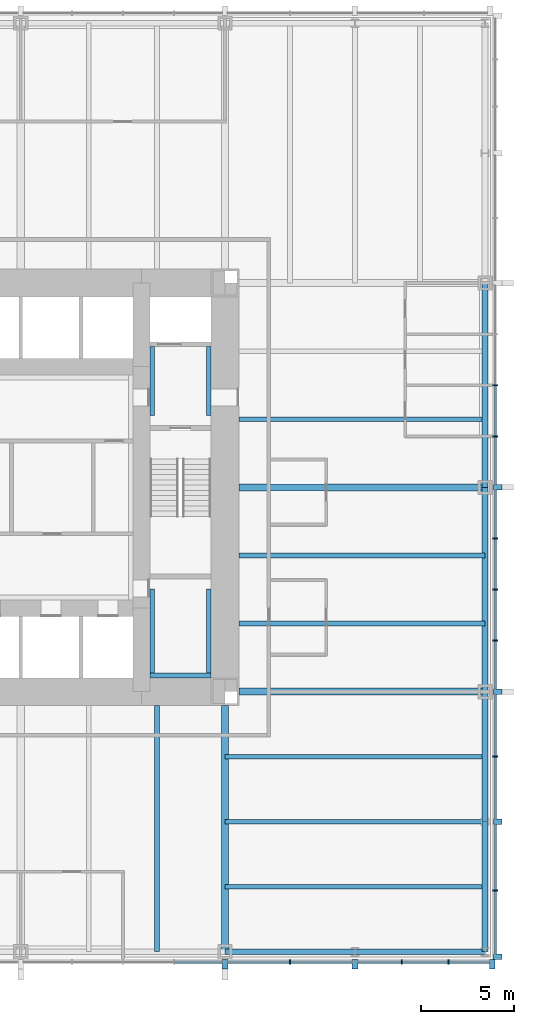
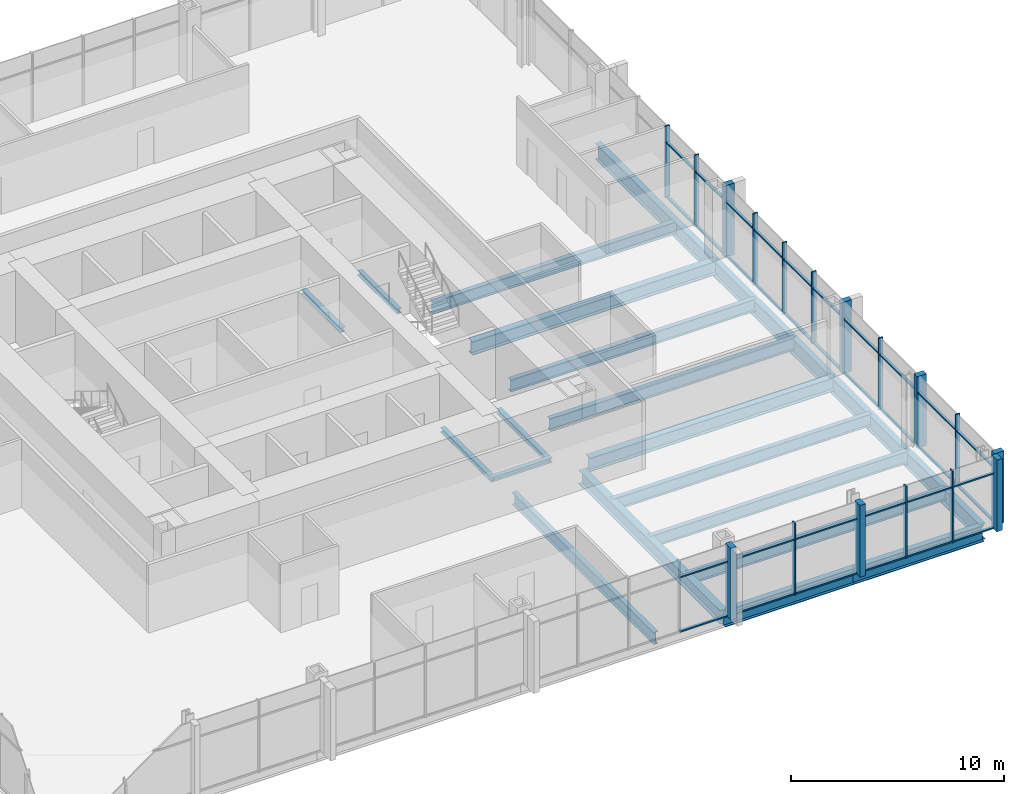
# One storey, part 4 of 12: 49 members, 21 beams, 2 elements without a shape of their own.
"""IFC4 building model written with IfcOpenShell, lengths in metres."""

from ifc_helpers import new_model, si_unit, direction, frame, origin, origin_2d, place, context, subcontext, project, spatial, rectangle, i_section, extrude, material, material_profile, profile_set, type_object, element, aggregate, save


model = new_model("IFC4")

# Units and contexts
model_context = context("Model", 3, precision=1e-05, world=origin(), true_north=direction((0.0, 1.0)))
body_context = subcontext(model_context, "Body", "Model", "MODEL_VIEW")
ifc_project = project(units=[si_unit("LENGTHUNIT", "METRE"), si_unit("AREAUNIT", "SQUARE_METRE"), si_unit("VOLUMEUNIT", "CUBIC_METRE"), si_unit("PLANEANGLEUNIT", "RADIAN"), si_unit("MASSUNIT", "GRAM", prefix="KILO")], contexts=[model_context])

# Site, building, storey
site_placement = place(None, origin())
site = spatial("IfcSite", under=ifc_project, at=site_placement, CompositionType="ELEMENT")
building_placement = place(site_placement, origin())
building = spatial("IfcBuilding", under=site, at=building_placement, Name="Trevanion Tower", CompositionType="ELEMENT")
storey_placement = place(building_placement, frame((0.0, 0.0, 65.199951171875)))
storey = spatial("IfcBuildingStorey", under=building, at=storey_placement, Name="L15", CompositionType="ELEMENT", Elevation=65.199951171875)

# Beams
ifc_material_1 = material(Name="Steel ASTM A992 Grade 50", Category="steel")
ifc_material_profile_1 = material_profile(ifc_material_1, i_section(OverallWidth=0.25390625, OverallDepth=0.700927734375, WebThickness=0.015380859375, FlangeThickness=0.02783203125, at=origin_2d()), Name="W27X129")
ifc_profile_set_1 = profile_set([ifc_material_profile_1], Name="Steel ASTM A992 Grade 50")
beam_type_1 = type_object("IfcBeamType", Name="B3 W27X129", PredefinedType="BEAM", material=ifc_profile_set_1)
for number, where, z_axis, x_axis, name in (
    (1, (11.75, -7.333251953125, -0.54052734375), (1.0, 0.0, 0.0), (0.0, 1.0, 0.0), "B3 L15"),
    (2, (11.75, -3.666748046875, -0.54052734375), (1.0, 0.0, 0.0), (0.0, 1.0, 0.0), "B3 L15"),
    (3, (11.75, 3.666748046875, -0.54052734375), (1.0, 0.0, 0.0), (0.0, 1.0, 0.0), "B3 L15"),
    (4, (7.333251953125, -11.75, -0.54052734375), (0.0, -1.0, 0.0), (1.0, 0.0, 0.0), "B3 L15"),
):
    element("IfcBeam", number, at=place(storey_placement, frame(where, z_axis=z_axis, x_axis=x_axis)), inside=storey, type_object=beam_type_1, Name=name, PredefinedType="BEAM", context=body_context, shape_type="SweptSolid", body=[
        extrude(i_section(OverallWidth=0.25390625, OverallDepth=0.700927734375, WebThickness=0.015380859375, FlangeThickness=0.02783203125, at=origin_2d()), origin(), (0.0, 0.0, 1.0), 13.25),
    ])
ifc_material_2 = material(Name="Steel ASTM A992 Grade 50", Category="steel")
ifc_material_profile_2 = material_profile(ifc_material_2, i_section(OverallWidth=0.256591796875, OverallDepth=0.693359375, WebThickness=0.014404296875, FlangeThickness=0.023681640625, at=origin_2d()), Name="W27X114")
ifc_profile_set_2 = profile_set([ifc_material_profile_2], Name="Steel ASTM A992 Grade 50")
beam_type_2 = type_object("IfcBeamType", Name="B4 W27X114", PredefinedType="BEAM", material=ifc_profile_set_2)
for number, where, z_axis, x_axis, name in (
    (5, (11.0, -14.5, -0.53662109375), (1.0, 0.0, 0.0), (0.0, 1.0, 0.0), "B4 L15"),
    (6, (11.0, -18.0, -0.53662109375), (1.0, 0.0, 0.0), (0.0, 1.0, 0.0), "B4 L15"),
    (7, (11.0, -21.5, -0.53662109375), (1.0, 0.0, 0.0), (0.0, 1.0, 0.0), "B4 L15"),
):
    element("IfcBeam", number, at=place(storey_placement, frame(where, z_axis=z_axis, x_axis=x_axis)), inside=storey, type_object=beam_type_2, Name=name, PredefinedType="BEAM", context=body_context, shape_type="SweptSolid", body=[
        extrude(i_section(OverallWidth=0.256591796875, OverallDepth=0.693359375, WebThickness=0.014404296875, FlangeThickness=0.023681640625, at=origin_2d()), origin(), (0.0, 0.0, 1.0), 14.0),
    ])

# Curtain wall, members
ifc_material_3 = material(Name="Aluminium and glass", Category="aluminium")
curtain_wall_type = type_object("IfcCurtainWallType", Name="CW1 curtain wall", PredefinedType="USERDEFINED", material=ifc_material_3)
curtain_wall_1_placement = place(storey_placement, origin())
curtain_wall_1 = element("IfcCurtainWall", 8, at=curtain_wall_1_placement, inside=storey, type_object=curtain_wall_type, Name="CW1 L15 0", ObjectType="UNITISED CURTAIN WALL", PredefinedType="USERDEFINED")
ifc_material_4 = material(Name="Aluminium extrusion, anodised bronze", Category="aluminium")
ifc_material_profile_3 = material_profile(ifc_material_4, rectangle(XDim=0.074951171875, YDim=0.25, at=origin_2d()), Name="CW1 mullion")
ifc_profile_set_3 = profile_set([ifc_material_profile_3], Name="Aluminium extrusion, anodised bronze")
member_type_1 = type_object("IfcMemberType", Name="CW1 mullion", PredefinedType="MULLION", material=ifc_profile_set_3)
member_1_placement = place(storey_placement, frame((25.550048828125, -21.7099609375, -0.18994140625), z_axis=(0.0, 0.0, 1.0), x_axis=(0.0, 1.0, 0.0)))
member_1 = element("IfcMember", 9, at=member_1_placement, type_object=member_type_1, Name="CW1 mullion 2", PredefinedType="MULLION", context=body_context, shape_type="SweptSolid", body=[
    extrude(rectangle(XDim=0.074951171875, YDim=0.25, at=origin_2d()), origin(), (0.0, 0.0, 1.0), 4.10009765625),
])
member_2_placement = place(storey_placement, frame((25.550048828125, -14.5, -0.18994140625), z_axis=(0.0, 0.0, 1.0), x_axis=(0.0, 1.0, 0.0)))
member_2 = element("IfcMember", 10, at=member_2_placement, type_object=member_type_1, Name="CW1 mullion 4", PredefinedType="MULLION", context=body_context, shape_type="SweptSolid", body=[
    extrude(rectangle(XDim=0.074951171875, YDim=0.25, at=origin_2d()), origin(), (0.0, 0.0, 1.0), 4.10009765625),
])
member_3_placement = place(storey_placement, frame((25.550048828125, -8.25, -0.18994140625), z_axis=(0.0, 0.0, 1.0), x_axis=(0.0, 1.0, 0.0)))
member_3 = element("IfcMember", 11, at=member_3_placement, type_object=member_type_1, Name="CW1 mullion 6", PredefinedType="MULLION", context=body_context, shape_type="SweptSolid", body=[
    extrude(rectangle(XDim=0.074951171875, YDim=0.25, at=origin_2d()), origin(), (0.0, 0.0, 1.0), 4.10009765625),
])
member_4_placement = place(storey_placement, frame((25.550048828125, -5.5, -0.18994140625), z_axis=(0.0, 0.0, 1.0), x_axis=(0.0, 1.0, 0.0)))
member_4 = element("IfcMember", 12, at=member_4_placement, type_object=member_type_1, Name="CW1 mullion 7", PredefinedType="MULLION", context=body_context, shape_type="SweptSolid", body=[
    extrude(rectangle(XDim=0.074951171875, YDim=0.25, at=origin_2d()), origin(), (0.0, 0.0, 1.0), 4.10009765625),
])
member_5_placement = place(storey_placement, frame((25.550048828125, -2.75, -0.18994140625), z_axis=(0.0, 0.0, 1.0), x_axis=(0.0, 1.0, 0.0)))
member_5 = element("IfcMember", 13, at=member_5_placement, type_object=member_type_1, Name="CW1 mullion 8", PredefinedType="MULLION", context=body_context, shape_type="SweptSolid", body=[
    extrude(rectangle(XDim=0.074951171875, YDim=0.25, at=origin_2d()), origin(), (0.0, 0.0, 1.0), 4.10009765625),
])
member_6_placement = place(storey_placement, frame((25.550048828125, 2.75, -0.18994140625), z_axis=(0.0, 0.0, 1.0), x_axis=(0.0, 1.0, 0.0)))
member_6 = element("IfcMember", 14, at=member_6_placement, type_object=member_type_1, Name="CW1 mullion 10", PredefinedType="MULLION", context=body_context, shape_type="SweptSolid", body=[
    extrude(rectangle(XDim=0.074951171875, YDim=0.25, at=origin_2d()), origin(), (0.0, 0.0, 1.0), 4.10009765625),
])
member_7_placement = place(storey_placement, frame((25.550048828125, 5.5, -0.18994140625), z_axis=(0.0, 0.0, 1.0), x_axis=(0.0, 1.0, 0.0)))
member_7 = element("IfcMember", 15, at=member_7_placement, type_object=member_type_1, Name="CW1 mullion 11", PredefinedType="MULLION", context=body_context, shape_type="SweptSolid", body=[
    extrude(rectangle(XDim=0.074951171875, YDim=0.25, at=origin_2d()), origin(), (0.0, 0.0, 1.0), 4.10009765625),
])

curtain_wall_2_placement = place(storey_placement, origin())
curtain_wall_2 = element("IfcCurtainWall", 16, at=curtain_wall_2_placement, inside=storey, type_object=curtain_wall_type, Name="CW1 L15 3", ObjectType="UNITISED CURTAIN WALL", PredefinedType="USERDEFINED")
member_8_placement = place(storey_placement, frame((14.5, -25.550048828125, -0.18994140625), z_axis=(0.0, 0.0, 1.0), x_axis=(1.0, 0.0, 0.0)))
member_8 = element("IfcMember", 17, at=member_8_placement, type_object=member_type_1, Name="CW1 mullion 14", PredefinedType="MULLION", context=body_context, shape_type="SweptSolid", body=[
    extrude(rectangle(XDim=0.074951171875, YDim=0.25, at=origin_2d()), origin(), (0.0, 0.0, 1.0), 4.10009765625),
])
member_9_placement = place(storey_placement, frame((20.5166015625, -25.550048828125, -0.18994140625), z_axis=(0.0, 0.0, 1.0), x_axis=(1.0, 0.0, 0.0)))
member_9 = element("IfcMember", 18, at=member_9_placement, type_object=member_type_1, Name="CW1 mullion 16", PredefinedType="MULLION", context=body_context, shape_type="SweptSolid", body=[
    extrude(rectangle(XDim=0.074951171875, YDim=0.25, at=origin_2d()), origin(), (0.0, 0.0, 1.0), 4.10009765625),
])
member_10_placement = place(storey_placement, frame((23.033203125, -25.550048828125, -0.18994140625), z_axis=(0.0, 0.0, 1.0), x_axis=(1.0, 0.0, 0.0)))
member_10 = element("IfcMember", 19, at=member_10_placement, type_object=member_type_1, Name="CW1 mullion 17", PredefinedType="MULLION", context=body_context, shape_type="SweptSolid", body=[
    extrude(rectangle(XDim=0.074951171875, YDim=0.25, at=origin_2d()), origin(), (0.0, 0.0, 1.0), 4.10009765625),
])

# Member
ifc_material_5 = material(Name="Aluminium extrusion, anodised bronze", Category="aluminium")
ifc_material_profile_4 = material_profile(ifc_material_5, rectangle(XDim=0.300048828125, YDim=0.5, at=origin_2d()), Name="CW1 pier mullion")
ifc_profile_set_4 = profile_set([ifc_material_profile_4], Name="Aluminium extrusion, anodised bronze")
member_type_2 = type_object("IfcMemberType", Name="CW1 pier mullion", PredefinedType="MULLION", material=ifc_profile_set_4)
member_11_placement = place(storey_placement, frame((25.675048828125, -25.27001953125, -0.18994140625), z_axis=(0.0, 0.0, 1.0), x_axis=(0.0, 1.0, 0.0)))
member_11 = element("IfcMember", 20, at=member_11_placement, type_object=member_type_2, Name="CW1 pier mullion 1", PredefinedType="MULLION", context=body_context, shape_type="SweptSolid", body=[
    extrude(rectangle(XDim=0.300048828125, YDim=0.5, at=origin_2d()), origin(), (0.0, 0.0, 1.0), 4.10009765625),
])

member_12_placement = place(storey_placement, frame((25.675048828125, -18.0, -0.18994140625), z_axis=(0.0, 0.0, 1.0), x_axis=(0.0, 1.0, 0.0)))
member_12 = element("IfcMember", 21, at=member_12_placement, type_object=member_type_2, Name="CW1 pier mullion 3", PredefinedType="MULLION", context=body_context, shape_type="SweptSolid", body=[
    extrude(rectangle(XDim=0.300048828125, YDim=0.5, at=origin_2d()), origin(), (0.0, 0.0, 1.0), 4.10009765625),
])

member_13_placement = place(storey_placement, frame((25.675048828125, -11.0, -0.18994140625), z_axis=(0.0, 0.0, 1.0), x_axis=(0.0, 1.0, 0.0)))
member_13 = element("IfcMember", 22, at=member_13_placement, type_object=member_type_2, Name="CW1 pier mullion 5", PredefinedType="MULLION", context=body_context, shape_type="SweptSolid", body=[
    extrude(rectangle(XDim=0.300048828125, YDim=0.5, at=origin_2d()), origin(), (0.0, 0.0, 1.0), 4.10009765625),
])

member_14_placement = place(storey_placement, frame((25.675048828125, 0.0, -0.18994140625), z_axis=(0.0, 0.0, 1.0), x_axis=(0.0, 1.0, 0.0)))
member_14 = element("IfcMember", 23, at=member_14_placement, type_object=member_type_2, Name="CW1 pier mullion 9", PredefinedType="MULLION", context=body_context, shape_type="SweptSolid", body=[
    extrude(rectangle(XDim=0.300048828125, YDim=0.5, at=origin_2d()), origin(), (0.0, 0.0, 1.0), 4.10009765625),
])

member_15_placement = place(storey_placement, frame((11.0, -25.675048828125, -0.18994140625), z_axis=(0.0, 0.0, 1.0), x_axis=(1.0, 0.0, 0.0)))
member_15 = element("IfcMember", 24, at=member_15_placement, type_object=member_type_2, Name="CW1 pier mullion 13", PredefinedType="MULLION", context=body_context, shape_type="SweptSolid", body=[
    extrude(rectangle(XDim=0.300048828125, YDim=0.5, at=origin_2d()), origin(), (0.0, 0.0, 1.0), 4.10009765625),
])

member_16_placement = place(storey_placement, frame((18.0, -25.675048828125, -0.18994140625), z_axis=(0.0, 0.0, 1.0), x_axis=(1.0, 0.0, 0.0)))
member_16 = element("IfcMember", 25, at=member_16_placement, type_object=member_type_2, Name="CW1 pier mullion 15", PredefinedType="MULLION", context=body_context, shape_type="SweptSolid", body=[
    extrude(rectangle(XDim=0.300048828125, YDim=0.5, at=origin_2d()), origin(), (0.0, 0.0, 1.0), 4.10009765625),
])

member_17_placement = place(storey_placement, frame((25.39990234375, -25.675048828125, -0.18994140625), z_axis=(0.0, 0.0, 1.0), x_axis=(1.0, 0.0, 0.0)))
member_17 = element("IfcMember", 26, at=member_17_placement, type_object=member_type_2, Name="CW1 pier mullion 18", PredefinedType="MULLION", context=body_context, shape_type="SweptSolid", body=[
    extrude(rectangle(XDim=0.300048828125, YDim=0.5, at=origin_2d()), origin(), (0.0, 0.0, 1.0), 4.10009765625),
])

ifc_material_6 = material(Name="Aluminium extrusion, anodised bronze", Category="aluminium")
ifc_material_profile_5 = material_profile(ifc_material_6, rectangle(XDim=0.14990234375, YDim=0.074951171875, at=origin_2d()), Name="CW1 transom")
ifc_profile_set_5 = profile_set([ifc_material_profile_5], Name="Aluminium extrusion, anodised bronze")
member_type_3 = type_object("IfcMemberType", Name="CW1 transom", PredefinedType="USERDEFINED", material=ifc_profile_set_5)
member_18_placement = place(storey_placement, frame((25.550048828125, -25.1201171875, -0.15234375), z_axis=(0.0, 1.0, 0.0), x_axis=(-1.0, 0.0, 0.0)))
member_18 = element("IfcMember", 27, at=member_18_placement, type_object=member_type_3, Name="CW1 transom 1.1", ObjectType="TRANSOM", PredefinedType="USERDEFINED", context=body_context, shape_type="SweptSolid", body=[
    extrude(rectangle(XDim=0.14990234375, YDim=0.074951171875, at=origin_2d()), origin(), (0.0, 0.0, 1.0), 3.37255859375),
])

member_19_placement = place(storey_placement, frame((25.550048828125, -25.1201171875, 2.9599609375), z_axis=(0.0, 1.0, 0.0), x_axis=(-1.0, 0.0, 0.0)))
member_19 = element("IfcMember", 28, at=member_19_placement, type_object=member_type_3, Name="CW1 transom 1.2", ObjectType="TRANSOM", PredefinedType="USERDEFINED", context=body_context, shape_type="SweptSolid", body=[
    extrude(rectangle(XDim=0.14990234375, YDim=0.074951171875, at=origin_2d()), origin(), (0.0, 0.0, 1.0), 3.37255859375),
])

member_20_placement = place(storey_placement, frame((25.550048828125, -21.672607421875, -0.15234375), z_axis=(0.0, 1.0, 0.0), x_axis=(-1.0, 0.0, 0.0)))
member_20 = element("IfcMember", 29, at=member_20_placement, type_object=member_type_3, Name="CW1 transom 2.1", ObjectType="TRANSOM", PredefinedType="USERDEFINED", context=body_context, shape_type="SweptSolid", body=[
    extrude(rectangle(XDim=0.14990234375, YDim=0.074951171875, at=origin_2d()), origin(), (0.0, 0.0, 1.0), 3.522705078125),
])

member_21_placement = place(storey_placement, frame((25.550048828125, -21.672607421875, 2.9599609375), z_axis=(0.0, 1.0, 0.0), x_axis=(-1.0, 0.0, 0.0)))
member_21 = element("IfcMember", 30, at=member_21_placement, type_object=member_type_3, Name="CW1 transom 2.2", ObjectType="TRANSOM", PredefinedType="USERDEFINED", context=body_context, shape_type="SweptSolid", body=[
    extrude(rectangle(XDim=0.14990234375, YDim=0.074951171875, at=origin_2d()), origin(), (0.0, 0.0, 1.0), 3.522705078125),
])

member_22_placement = place(storey_placement, frame((25.550048828125, -17.85009765625, -0.15234375), z_axis=(0.0, 1.0, 0.0), x_axis=(-1.0, 0.0, 0.0)))
member_22 = element("IfcMember", 31, at=member_22_placement, type_object=member_type_3, Name="CW1 transom 3.1", ObjectType="TRANSOM", PredefinedType="USERDEFINED", context=body_context, shape_type="SweptSolid", body=[
    extrude(rectangle(XDim=0.14990234375, YDim=0.074951171875, at=origin_2d()), origin(), (0.0, 0.0, 1.0), 3.3125),
])

member_23_placement = place(storey_placement, frame((25.550048828125, -17.85009765625, 2.9599609375), z_axis=(0.0, 1.0, 0.0), x_axis=(-1.0, 0.0, 0.0)))
member_23 = element("IfcMember", 32, at=member_23_placement, type_object=member_type_3, Name="CW1 transom 3.2", ObjectType="TRANSOM", PredefinedType="USERDEFINED", context=body_context, shape_type="SweptSolid", body=[
    extrude(rectangle(XDim=0.14990234375, YDim=0.074951171875, at=origin_2d()), origin(), (0.0, 0.0, 1.0), 3.3125),
])

member_24_placement = place(storey_placement, frame((25.550048828125, -14.46240234375, -0.15234375), z_axis=(0.0, 1.0, 0.0), x_axis=(-1.0, 0.0, 0.0)))
member_24 = element("IfcMember", 33, at=member_24_placement, type_object=member_type_3, Name="CW1 transom 4.1", ObjectType="TRANSOM", PredefinedType="USERDEFINED", context=body_context, shape_type="SweptSolid", body=[
    extrude(rectangle(XDim=0.14990234375, YDim=0.074951171875, at=origin_2d()), origin(), (0.0, 0.0, 1.0), 3.3125),
])

member_25_placement = place(storey_placement, frame((25.550048828125, -14.46240234375, 2.9599609375), z_axis=(0.0, 1.0, 0.0), x_axis=(-1.0, 0.0, 0.0)))
member_25 = element("IfcMember", 34, at=member_25_placement, type_object=member_type_3, Name="CW1 transom 4.2", ObjectType="TRANSOM", PredefinedType="USERDEFINED", context=body_context, shape_type="SweptSolid", body=[
    extrude(rectangle(XDim=0.14990234375, YDim=0.074951171875, at=origin_2d()), origin(), (0.0, 0.0, 1.0), 3.3125),
])

member_26_placement = place(storey_placement, frame((25.550048828125, -10.85009765625, -0.15234375), z_axis=(0.0, 1.0, 0.0), x_axis=(-1.0, 0.0, 0.0)))
member_26 = element("IfcMember", 35, at=member_26_placement, type_object=member_type_3, Name="CW1 transom 5.1", ObjectType="TRANSOM", PredefinedType="USERDEFINED", context=body_context, shape_type="SweptSolid", body=[
    extrude(rectangle(XDim=0.14990234375, YDim=0.074951171875, at=origin_2d()), origin(), (0.0, 0.0, 1.0), 2.5625),
])

member_27_placement = place(storey_placement, frame((25.550048828125, -10.85009765625, 2.9599609375), z_axis=(0.0, 1.0, 0.0), x_axis=(-1.0, 0.0, 0.0)))
member_27 = element("IfcMember", 36, at=member_27_placement, type_object=member_type_3, Name="CW1 transom 5.2", ObjectType="TRANSOM", PredefinedType="USERDEFINED", context=body_context, shape_type="SweptSolid", body=[
    extrude(rectangle(XDim=0.14990234375, YDim=0.074951171875, at=origin_2d()), origin(), (0.0, 0.0, 1.0), 2.5625),
])

member_28_placement = place(storey_placement, frame((25.550048828125, -8.21240234375, -0.15234375), z_axis=(0.0, 1.0, 0.0), x_axis=(-1.0, 0.0, 0.0)))
member_28 = element("IfcMember", 37, at=member_28_placement, type_object=member_type_3, Name="CW1 transom 6.1", ObjectType="TRANSOM", PredefinedType="USERDEFINED", context=body_context, shape_type="SweptSolid", body=[
    extrude(rectangle(XDim=0.14990234375, YDim=0.074951171875, at=origin_2d()), origin(), (0.0, 0.0, 1.0), 2.6748046875),
])

member_29_placement = place(storey_placement, frame((25.550048828125, -8.21240234375, 2.9599609375), z_axis=(0.0, 1.0, 0.0), x_axis=(-1.0, 0.0, 0.0)))
member_29 = element("IfcMember", 38, at=member_29_placement, type_object=member_type_3, Name="CW1 transom 6.2", ObjectType="TRANSOM", PredefinedType="USERDEFINED", context=body_context, shape_type="SweptSolid", body=[
    extrude(rectangle(XDim=0.14990234375, YDim=0.074951171875, at=origin_2d()), origin(), (0.0, 0.0, 1.0), 2.6748046875),
])

member_30_placement = place(storey_placement, frame((25.550048828125, -5.46240234375, -0.15234375), z_axis=(0.0, 1.0, 0.0), x_axis=(-1.0, 0.0, 0.0)))
member_30 = element("IfcMember", 39, at=member_30_placement, type_object=member_type_3, Name="CW1 transom 7.1", ObjectType="TRANSOM", PredefinedType="USERDEFINED", context=body_context, shape_type="SweptSolid", body=[
    extrude(rectangle(XDim=0.14990234375, YDim=0.074951171875, at=origin_2d()), origin(), (0.0, 0.0, 1.0), 2.6748046875),
])

member_31_placement = place(storey_placement, frame((25.550048828125, -5.46240234375, 2.9599609375), z_axis=(0.0, 1.0, 0.0), x_axis=(-1.0, 0.0, 0.0)))
member_31 = element("IfcMember", 40, at=member_31_placement, type_object=member_type_3, Name="CW1 transom 7.2", ObjectType="TRANSOM", PredefinedType="USERDEFINED", context=body_context, shape_type="SweptSolid", body=[
    extrude(rectangle(XDim=0.14990234375, YDim=0.074951171875, at=origin_2d()), origin(), (0.0, 0.0, 1.0), 2.6748046875),
])

member_32_placement = place(storey_placement, frame((25.550048828125, -2.71240234375, -0.15234375), z_axis=(0.0, 1.0, 0.0), x_axis=(-1.0, 0.0, 0.0)))
member_32 = element("IfcMember", 41, at=member_32_placement, type_object=member_type_3, Name="CW1 transom 8.1", ObjectType="TRANSOM", PredefinedType="USERDEFINED", context=body_context, shape_type="SweptSolid", body=[
    extrude(rectangle(XDim=0.14990234375, YDim=0.074951171875, at=origin_2d()), origin(), (0.0, 0.0, 1.0), 2.5625),
])

member_33_placement = place(storey_placement, frame((25.550048828125, -2.71240234375, 2.9599609375), z_axis=(0.0, 1.0, 0.0), x_axis=(-1.0, 0.0, 0.0)))
member_33 = element("IfcMember", 42, at=member_33_placement, type_object=member_type_3, Name="CW1 transom 8.2", ObjectType="TRANSOM", PredefinedType="USERDEFINED", context=body_context, shape_type="SweptSolid", body=[
    extrude(rectangle(XDim=0.14990234375, YDim=0.074951171875, at=origin_2d()), origin(), (0.0, 0.0, 1.0), 2.5625),
])

member_34_placement = place(storey_placement, frame((25.550048828125, 0.14990234375, -0.15234375), z_axis=(0.0, 1.0, 0.0), x_axis=(-1.0, 0.0, 0.0)))
member_34 = element("IfcMember", 43, at=member_34_placement, type_object=member_type_3, Name="CW1 transom 9.1", ObjectType="TRANSOM", PredefinedType="USERDEFINED", context=body_context, shape_type="SweptSolid", body=[
    extrude(rectangle(XDim=0.14990234375, YDim=0.074951171875, at=origin_2d()), origin(), (0.0, 0.0, 1.0), 2.5625),
])

member_35_placement = place(storey_placement, frame((25.550048828125, 0.14990234375, 2.9599609375), z_axis=(0.0, 1.0, 0.0), x_axis=(-1.0, 0.0, 0.0)))
member_35 = element("IfcMember", 44, at=member_35_placement, type_object=member_type_3, Name="CW1 transom 9.2", ObjectType="TRANSOM", PredefinedType="USERDEFINED", context=body_context, shape_type="SweptSolid", body=[
    extrude(rectangle(XDim=0.14990234375, YDim=0.074951171875, at=origin_2d()), origin(), (0.0, 0.0, 1.0), 2.5625),
])

member_36_placement = place(storey_placement, frame((25.550048828125, 2.78759765625, -0.15234375), z_axis=(0.0, 1.0, 0.0), x_axis=(-1.0, 0.0, 0.0)))
member_36 = element("IfcMember", 45, at=member_36_placement, type_object=member_type_3, Name="CW1 transom 10.1", ObjectType="TRANSOM", PredefinedType="USERDEFINED", context=body_context, shape_type="SweptSolid", body=[
    extrude(rectangle(XDim=0.14990234375, YDim=0.074951171875, at=origin_2d()), origin(), (0.0, 0.0, 1.0), 2.6748046875),
])

member_37_placement = place(storey_placement, frame((25.550048828125, 2.78759765625, 2.9599609375), z_axis=(0.0, 1.0, 0.0), x_axis=(-1.0, 0.0, 0.0)))
member_37 = element("IfcMember", 46, at=member_37_placement, type_object=member_type_3, Name="CW1 transom 10.2", ObjectType="TRANSOM", PredefinedType="USERDEFINED", context=body_context, shape_type="SweptSolid", body=[
    extrude(rectangle(XDim=0.14990234375, YDim=0.074951171875, at=origin_2d()), origin(), (0.0, 0.0, 1.0), 2.6748046875),
])

aggregate(curtain_wall_1, [member_11, member_1, member_12, member_2, member_13, member_3, member_4, member_5, member_14, member_6, member_7, member_18, member_19, member_20, member_21, member_22, member_23, member_24, member_25, member_26, member_27, member_28, member_29, member_30, member_31, member_32, member_33, member_34, member_35, member_36, member_37])

member_38_placement = place(storey_placement, frame((8.28759765625, -25.550048828125, -0.15234375), z_axis=(1.0, 0.0, 0.0), x_axis=(0.0, 1.0, 0.0)))
member_38 = element("IfcMember", 47, at=member_38_placement, type_object=member_type_3, Name="CW1 transom 12.1", ObjectType="TRANSOM", PredefinedType="USERDEFINED", context=body_context, shape_type="SweptSolid", body=[
    extrude(rectangle(XDim=0.14990234375, YDim=0.074951171875, at=origin_2d()), origin(), (0.0, 0.0, 1.0), 2.5625),
])

member_39_placement = place(storey_placement, frame((8.28759765625, -25.550048828125, 2.9599609375), z_axis=(1.0, 0.0, 0.0), x_axis=(0.0, 1.0, 0.0)))
member_39 = element("IfcMember", 48, at=member_39_placement, type_object=member_type_3, Name="CW1 transom 12.2", ObjectType="TRANSOM", PredefinedType="USERDEFINED", context=body_context, shape_type="SweptSolid", body=[
    extrude(rectangle(XDim=0.14990234375, YDim=0.074951171875, at=origin_2d()), origin(), (0.0, 0.0, 1.0), 2.5625),
])

member_40_placement = place(storey_placement, frame((11.14990234375, -25.550048828125, -0.15234375), z_axis=(1.0, 0.0, 0.0), x_axis=(0.0, 1.0, 0.0)))
member_40 = element("IfcMember", 49, at=member_40_placement, type_object=member_type_3, Name="CW1 transom 13.1", ObjectType="TRANSOM", PredefinedType="USERDEFINED", context=body_context, shape_type="SweptSolid", body=[
    extrude(rectangle(XDim=0.14990234375, YDim=0.074951171875, at=origin_2d()), origin(), (0.0, 0.0, 1.0), 3.3125),
])

member_41_placement = place(storey_placement, frame((11.14990234375, -25.550048828125, 2.9599609375), z_axis=(1.0, 0.0, 0.0), x_axis=(0.0, 1.0, 0.0)))
member_41 = element("IfcMember", 50, at=member_41_placement, type_object=member_type_3, Name="CW1 transom 13.2", ObjectType="TRANSOM", PredefinedType="USERDEFINED", context=body_context, shape_type="SweptSolid", body=[
    extrude(rectangle(XDim=0.14990234375, YDim=0.074951171875, at=origin_2d()), origin(), (0.0, 0.0, 1.0), 3.3125),
])

member_42_placement = place(storey_placement, frame((14.53759765625, -25.550048828125, -0.15234375), z_axis=(1.0, 0.0, 0.0), x_axis=(0.0, 1.0, 0.0)))
member_42 = element("IfcMember", 51, at=member_42_placement, type_object=member_type_3, Name="CW1 transom 14.1", ObjectType="TRANSOM", PredefinedType="USERDEFINED", context=body_context, shape_type="SweptSolid", body=[
    extrude(rectangle(XDim=0.14990234375, YDim=0.074951171875, at=origin_2d()), origin(), (0.0, 0.0, 1.0), 3.3125),
])

member_43_placement = place(storey_placement, frame((14.53759765625, -25.550048828125, 2.9599609375), z_axis=(1.0, 0.0, 0.0), x_axis=(0.0, 1.0, 0.0)))
member_43 = element("IfcMember", 52, at=member_43_placement, type_object=member_type_3, Name="CW1 transom 14.2", ObjectType="TRANSOM", PredefinedType="USERDEFINED", context=body_context, shape_type="SweptSolid", body=[
    extrude(rectangle(XDim=0.14990234375, YDim=0.074951171875, at=origin_2d()), origin(), (0.0, 0.0, 1.0), 3.3125),
])

member_44_placement = place(storey_placement, frame((18.14990234375, -25.550048828125, -0.15234375), z_axis=(1.0, 0.0, 0.0), x_axis=(0.0, 1.0, 0.0)))
member_44 = element("IfcMember", 53, at=member_44_placement, type_object=member_type_3, Name="CW1 transom 15.1", ObjectType="TRANSOM", PredefinedType="USERDEFINED", context=body_context, shape_type="SweptSolid", body=[
    extrude(rectangle(XDim=0.14990234375, YDim=0.074951171875, at=origin_2d()), origin(), (0.0, 0.0, 1.0), 2.329345703125),
])

member_45_placement = place(storey_placement, frame((18.14990234375, -25.550048828125, 2.9599609375), z_axis=(1.0, 0.0, 0.0), x_axis=(0.0, 1.0, 0.0)))
member_45 = element("IfcMember", 54, at=member_45_placement, type_object=member_type_3, Name="CW1 transom 15.2", ObjectType="TRANSOM", PredefinedType="USERDEFINED", context=body_context, shape_type="SweptSolid", body=[
    extrude(rectangle(XDim=0.14990234375, YDim=0.074951171875, at=origin_2d()), origin(), (0.0, 0.0, 1.0), 2.329345703125),
])

member_46_placement = place(storey_placement, frame((20.55419921875, -25.550048828125, -0.15234375), z_axis=(1.0, 0.0, 0.0), x_axis=(0.0, 1.0, 0.0)))
member_46 = element("IfcMember", 55, at=member_46_placement, type_object=member_type_3, Name="CW1 transom 16.1", ObjectType="TRANSOM", PredefinedType="USERDEFINED", context=body_context, shape_type="SweptSolid", body=[
    extrude(rectangle(XDim=0.14990234375, YDim=0.074951171875, at=origin_2d()), origin(), (0.0, 0.0, 1.0), 2.441650390625),
])

member_47_placement = place(storey_placement, frame((20.55419921875, -25.550048828125, 2.9599609375), z_axis=(1.0, 0.0, 0.0), x_axis=(0.0, 1.0, 0.0)))
member_47 = element("IfcMember", 56, at=member_47_placement, type_object=member_type_3, Name="CW1 transom 16.2", ObjectType="TRANSOM", PredefinedType="USERDEFINED", context=body_context, shape_type="SweptSolid", body=[
    extrude(rectangle(XDim=0.14990234375, YDim=0.074951171875, at=origin_2d()), origin(), (0.0, 0.0, 1.0), 2.441650390625),
])

member_48_placement = place(storey_placement, frame((23.07080078125, -25.550048828125, -0.15234375), z_axis=(1.0, 0.0, 0.0), x_axis=(0.0, 1.0, 0.0)))
member_48 = element("IfcMember", 57, at=member_48_placement, type_object=member_type_3, Name="CW1 transom 17.1", ObjectType="TRANSOM", PredefinedType="USERDEFINED", context=body_context, shape_type="SweptSolid", body=[
    extrude(rectangle(XDim=0.14990234375, YDim=0.074951171875, at=origin_2d()), origin(), (0.0, 0.0, 1.0), 2.17919921875),
])

member_49_placement = place(storey_placement, frame((23.07080078125, -25.550048828125, 2.9599609375), z_axis=(1.0, 0.0, 0.0), x_axis=(0.0, 1.0, 0.0)))
member_49 = element("IfcMember", 58, at=member_49_placement, type_object=member_type_3, Name="CW1 transom 17.2", ObjectType="TRANSOM", PredefinedType="USERDEFINED", context=body_context, shape_type="SweptSolid", body=[
    extrude(rectangle(XDim=0.14990234375, YDim=0.074951171875, at=origin_2d()), origin(), (0.0, 0.0, 1.0), 2.17919921875),
])

aggregate(curtain_wall_2, [member_15, member_8, member_16, member_9, member_10, member_17, member_38, member_39, member_40, member_41, member_42, member_43, member_44, member_45, member_46, member_47, member_48, member_49])

# Beams
ifc_material_7 = material(Name="Steel ASTM A992 Grade 50", Category="steel")
ifc_material_profile_6 = material_profile(ifc_material_7, i_section(OverallWidth=0.381103515625, OverallDepth=0.77978515625, WebThickness=0.01806640625, FlangeThickness=0.0302734375, at=origin_2d()), Name="W30X191")
ifc_profile_set_6 = profile_set([ifc_material_profile_6], Name="Steel ASTM A992 Grade 50")
beam_type_3 = type_object("IfcBeamType", Name="G2 W30X191", PredefinedType="BEAM", material=ifc_profile_set_6)
for number, where, z_axis, x_axis, name in (
    (59, (11.75, -11.0, -0.579833984375), (1.0, 0.0, 0.0), (0.0, 1.0, 0.0), "G2 L15"),
    (60, (11.75, 0.0, -0.579833984375), (1.0, 0.0, 0.0), (0.0, 1.0, 0.0), "G2 L15"),
    (61, (11.0, -11.75, -0.579833984375), (0.0, -1.0, 0.0), (1.0, 0.0, 0.0), "G2 L15"),
):
    element("IfcBeam", number, at=place(storey_placement, frame(where, z_axis=z_axis, x_axis=x_axis)), inside=storey, type_object=beam_type_3, Name=name, PredefinedType="BEAM", context=body_context, shape_type="SweptSolid", body=[
        extrude(i_section(OverallWidth=0.381103515625, OverallDepth=0.77978515625, WebThickness=0.01806640625, FlangeThickness=0.0302734375, at=origin_2d()), origin(), (0.0, 0.0, 1.0), 13.25),
    ])
ifc_material_8 = material(Name="Steel ASTM A992 Grade 50", Category="steel")
ifc_material_profile_7 = material_profile(ifc_material_8, i_section(OverallWidth=0.256591796875, OverallDepth=0.26416015625, WebThickness=0.011962890625, FlangeThickness=0.01953125, at=origin_2d()), Name="W10X68")
ifc_profile_set_7 = profile_set([ifc_material_profile_7], Name="Steel ASTM A992 Grade 50")
beam_type_4 = type_object("IfcBeamType", Name="LB1 W10X68", PredefinedType="BEAM", material=ifc_profile_set_7)
for number, where, z_axis, x_axis, name in (
    (62, (7.078369140625, 3.875, -0.33203125), (0.0, 1.0, 0.0), (-1.0, 0.0, 0.0), "LB1 L15"),
    (63, (10.12158203125, 3.875, -0.33203125), (0.0, 1.0, 0.0), (-1.0, 0.0, 0.0), "LB1 L15"),
):
    element("IfcBeam", number, at=place(storey_placement, frame(where, z_axis=z_axis, x_axis=x_axis)), inside=storey, type_object=beam_type_4, Name=name, PredefinedType="BEAM", context=body_context, shape_type="SweptSolid", body=[
        extrude(i_section(OverallWidth=0.256591796875, OverallDepth=0.26416015625, WebThickness=0.011962890625, FlangeThickness=0.01953125, at=origin_2d()), origin(), (0.0, 0.0, 1.0), 3.699951171875),
    ])
for number, where, z_axis, x_axis, name in (
    (64, (7.078369140625, -10.25, -0.33203125), (0.0, 1.0, 0.0), (-1.0, 0.0, 0.0), "LB1 L15"),
    (65, (10.12158203125, -10.25, -0.33203125), (0.0, 1.0, 0.0), (-1.0, 0.0, 0.0), "LB1 L15"),
):
    element("IfcBeam", number, at=place(storey_placement, frame(where, z_axis=z_axis, x_axis=x_axis)), inside=storey, type_object=beam_type_4, Name=name, PredefinedType="BEAM", context=body_context, shape_type="SweptSolid", body=[
        extrude(i_section(OverallWidth=0.256591796875, OverallDepth=0.26416015625, WebThickness=0.011962890625, FlangeThickness=0.01953125, at=origin_2d()), origin(), (0.0, 0.0, 1.0), 4.77490234375),
    ])
beam_placement = place(storey_placement, frame((6.949951171875, -10.12158203125, -0.33203125), z_axis=(1.0, 0.0, 0.0), x_axis=(0.0, 1.0, 0.0)))
element("IfcBeam", 66, at=beam_placement, inside=storey, type_object=beam_type_4, Name="LB1 L15", PredefinedType="BEAM", context=body_context, shape_type="SweptSolid", body=[
    extrude(i_section(OverallWidth=0.256591796875, OverallDepth=0.26416015625, WebThickness=0.011962890625, FlangeThickness=0.01953125, at=origin_2d()), origin(), (0.0, 0.0, 1.0), 3.300048828125),
])
ifc_material_9 = material(Name="Steel ASTM A992 Grade 50", Category="steel")
ifc_material_profile_8 = material_profile(ifc_material_9, i_section(OverallWidth=0.307373046875, OverallDepth=0.927001953125, WebThickness=0.01953125, FlangeThickness=0.031982421875, at=origin_2d()), Name="W36X194")
ifc_profile_set_8 = profile_set([ifc_material_profile_8], Name="Steel ASTM A992 Grade 50")
beam_type_5 = type_object("IfcBeamType", Name="SB2 W36X194", PredefinedType="SPANDREL", material=ifc_profile_set_8)
for number, where, z_axis, x_axis, name in (
    (67, (25.0, -25.0, -0.653564453125), (0.0, 1.0, 0.0), (-1.0, 0.0, 0.0), "SB2 L15"),
    (68, (25.0, -18.0, -0.653564453125), (0.0, 1.0, 0.0), (-1.0, 0.0, 0.0), "SB2 L15"),
):
    element("IfcBeam", number, at=place(storey_placement, frame(where, z_axis=z_axis, x_axis=x_axis)), inside=storey, type_object=beam_type_5, Name=name, PredefinedType="SPANDREL", context=body_context, shape_type="SweptSolid", body=[
        extrude(i_section(OverallWidth=0.307373046875, OverallDepth=0.927001953125, WebThickness=0.01953125, FlangeThickness=0.031982421875, at=origin_2d()), origin(), (0.0, 0.0, 1.0), 7.0),
    ])
for number, where, z_axis, x_axis, name in (
    (69, (25.0, -11.0, -0.653564453125), (0.0, 1.0, 0.0), (-1.0, 0.0, 0.0), "SB2 L15"),
    (70, (25.0, 0.0, -0.653564453125), (0.0, 1.0, 0.0), (-1.0, 0.0, 0.0), "SB2 L15"),
):
    element("IfcBeam", number, at=place(storey_placement, frame(where, z_axis=z_axis, x_axis=x_axis)), inside=storey, type_object=beam_type_5, Name=name, PredefinedType="SPANDREL", context=body_context, shape_type="SweptSolid", body=[
        extrude(i_section(OverallWidth=0.307373046875, OverallDepth=0.927001953125, WebThickness=0.01953125, FlangeThickness=0.031982421875, at=origin_2d()), origin(), (0.0, 0.0, 1.0), 11.0),
    ])
for number, where, z_axis, x_axis, name in (
    (71, (11.0, -25.0, -0.653564453125), (1.0, 0.0, 0.0), (0.0, 1.0, 0.0), "SB2 L15"),
    (72, (18.0, -25.0, -0.653564453125), (1.0, 0.0, 0.0), (0.0, 1.0, 0.0), "SB2 L15"),
):
    element("IfcBeam", number, at=place(storey_placement, frame(where, z_axis=z_axis, x_axis=x_axis)), inside=storey, type_object=beam_type_5, Name=name, PredefinedType="SPANDREL", context=body_context, shape_type="SweptSolid", body=[
        extrude(i_section(OverallWidth=0.307373046875, OverallDepth=0.927001953125, WebThickness=0.01953125, FlangeThickness=0.031982421875, at=origin_2d()), origin(), (0.0, 0.0, 1.0), 7.0),
    ])

save(model, "model.ifc")
